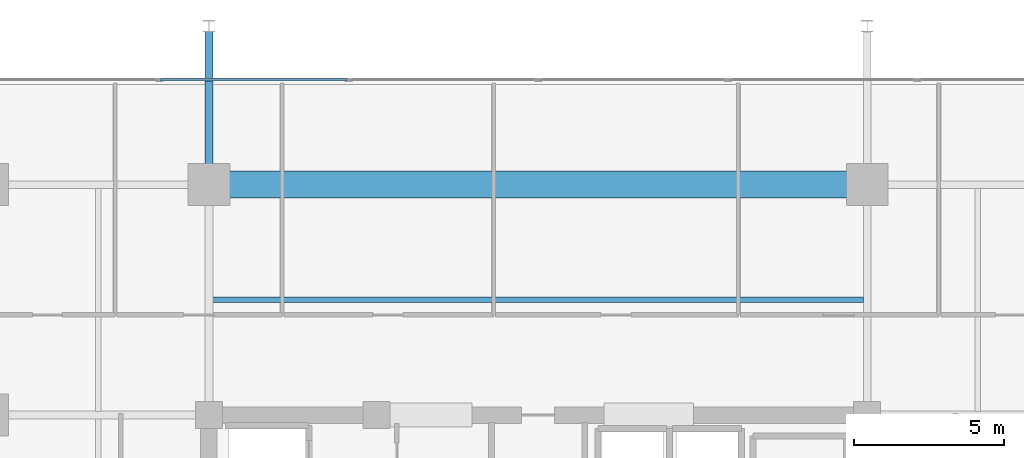
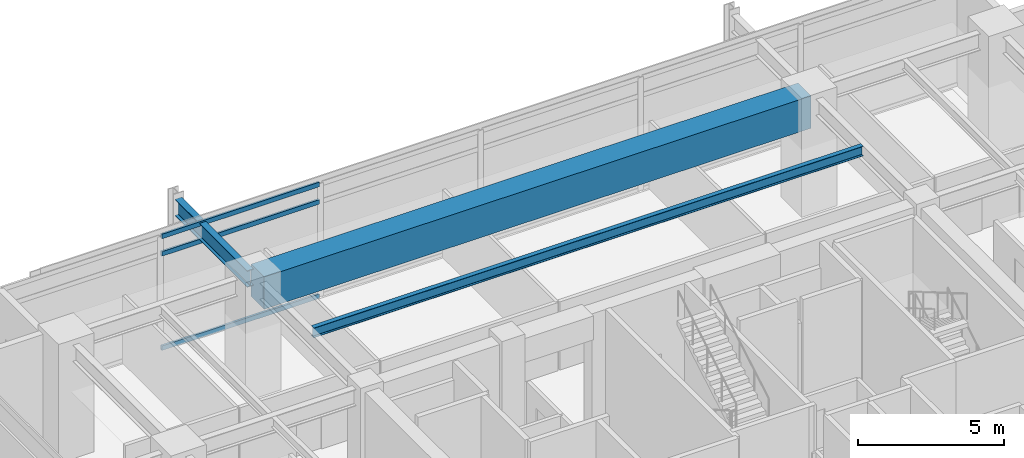
# One storey, part 8 of 19: 3 beams, 3 members, 1 element without a shape of its own.
"""IFC4 building model written with IfcOpenShell, lengths in metres."""

from ifc_helpers import new_model, si_unit, direction, frame, origin, origin_2d, place, context, subcontext, project, spatial, rectangle, hollow_rectangle, i_section, extrude, material, material_profile, profile_set, type_object, element, aggregate, save


model = new_model("IFC4")

# Units and contexts
model_context = context("Model", 3, precision=1e-05, world=origin(), true_north=direction((0.0, 1.0)))
body_context = subcontext(model_context, "Body", "Model", "MODEL_VIEW")
ifc_project = project(units=[si_unit("LENGTHUNIT", "METRE"), si_unit("AREAUNIT", "SQUARE_METRE"), si_unit("VOLUMEUNIT", "CUBIC_METRE"), si_unit("PLANEANGLEUNIT", "RADIAN"), si_unit("MASSUNIT", "GRAM", prefix="KILO")], contexts=[model_context])

# Site, building, storey
site_placement = place(None, origin())
site = spatial("IfcSite", under=ifc_project, at=site_placement, CompositionType="ELEMENT")
building_placement = place(site_placement, origin())
building = spatial("IfcBuilding", under=site, at=building_placement, Name="Kovane Verandah Tower", CompositionType="ELEMENT")
storey_placement = place(building_placement, frame((0.0, 0.0, 200.199951171875)))
storey = spatial("IfcBuildingStorey", under=building, at=storey_placement, Name="L46", CompositionType="ELEMENT", Elevation=200.199951171875)

# Beams
ifc_material_1 = material(Name="Concrete C80/95", Category="concrete")
ifc_material_profile_1 = material_profile(ifc_material_1, rectangle(XDim=0.89990234375, YDim=1.35009765625, at=origin_2d()), Name="RCB900x1350")
ifc_profile_set_1 = profile_set([ifc_material_profile_1], Name="Concrete C80/95")
beam_type_1 = type_object("IfcBeamType", Name="BM-TR-900x1350", PredefinedType="BEAM", material=ifc_profile_set_1)
beam_1_placement = place(storey_placement, frame((29.179931640625, 44.199951171875, 4.10009765625), z_axis=(1.0, 0.0, 0.0), x_axis=(0.0, 1.0, 0.0)))
element("IfcBeam", 1, at=beam_1_placement, inside=storey, type_object=beam_type_1, Name="L46 Primary Tower Girder G-RN2", PredefinedType="BEAM", context=body_context, shape_type="SweptSolid", body=[
    extrude(rectangle(XDim=0.89990234375, YDim=1.35009765625, at=origin_2d()), origin(), (0.0, 0.0, 1.0), 21.64013671875),
])
ifc_material_2 = material(Name="Steel S355", Category="steel")
ifc_material_profile_2 = material_profile(ifc_material_2, i_section(OverallWidth=0.255859375, OverallDepth=0.69287109375, WebThickness=0.014404296875, FlangeThickness=0.023681640625, FilletRadius=0.01513671875, at=origin_2d()), Name="UB686x254x170")
ifc_profile_set_2 = profile_set([ifc_material_profile_2], Name="Steel S355")
beam_type_2 = type_object("IfcBeamType", Name="BM-UB686x170", PredefinedType="BEAM", material=ifc_profile_set_2)
beam_2_placement = place(storey_placement, frame((29.0, 44.3798828125, 4.41357421875), z_axis=(0.0, 1.0, 0.0), x_axis=(-1.0, 0.0, 0.0)))
element("IfcBeam", 2, at=beam_2_placement, inside=storey, type_object=beam_type_2, Name="L46 Primary Tower Girder G-VN1", PredefinedType="BEAM", context=body_context, shape_type="SweptSolid", body=[
    extrude(i_section(OverallWidth=0.255859375, OverallDepth=0.69287109375, WebThickness=0.014404296875, FlangeThickness=0.023681640625, FilletRadius=0.01513671875, at=origin_2d()), origin(), (0.0, 0.0, 1.0), 4.940185546875),
])

# Curtain wall, members
ifc_material_3 = material(Name="Champagne Anodised Aluminium Frame with Low-E Clear Laminated Glass", Category="aluminium")
curtain_wall_type = type_object("IfcCurtainWallType", Name="CW-SYS-04-WAIST", PredefinedType="NOTDEFINED", material=ifc_material_3)
curtain_wall_placement = place(storey_placement, origin())
curtain_wall = element("IfcCurtainWall", 3, at=curtain_wall_placement, inside=storey, type_object=curtain_wall_type, Name="L46 N Unitised Curtain Wall", PredefinedType="NOTDEFINED")
ifc_material_4 = material(Name="Champagne Anodised Aluminium 6063-T6", Category="aluminium")
ifc_material_profile_3 = material_profile(ifc_material_4, hollow_rectangle(XDim=0.0849609375, YDim=0.18994140625, WallThickness=0.00390625, at=origin_2d()), Name="AL85x190x4")
ifc_profile_set_3 = profile_set([ifc_material_profile_3], Name="Champagne Anodised Aluminium 6063-T6")
member_type = type_object("IfcMemberType", Name="CW-TRN-85x190", PredefinedType="USERDEFINED", material=ifc_profile_set_3)
member_1_placement = place(storey_placement, frame((33.61669921875, 47.699951171875, 0.050048828125), z_axis=(-1.0, 0.0, 0.0), x_axis=(0.0, -1.0, 0.0)))
member_1 = element("IfcMember", 4, at=member_1_placement, type_object=member_type, Name="L46 N Unitised Curtain Wall Transom TB Bay 5", ObjectType="TRANSOM", PredefinedType="USERDEFINED", context=body_context, shape_type="SweptSolid", body=[
    extrude(hollow_rectangle(XDim=0.0849609375, YDim=0.18994140625, WallThickness=0.00390625, at=origin_2d()), origin(), (0.0, 0.0, 1.0), 6.2333984375),
])
member_2_placement = place(storey_placement, frame((33.61669921875, 47.699951171875, 3.9951171875), z_axis=(-1.0, 0.0, 0.0), x_axis=(0.0, -1.0, 0.0)))
member_2 = element("IfcMember", 5, at=member_2_placement, type_object=member_type, Name="L46 N Unitised Curtain Wall Transom TM Bay 5", ObjectType="TRANSOM", PredefinedType="USERDEFINED", context=body_context, shape_type="SweptSolid", body=[
    extrude(hollow_rectangle(XDim=0.0849609375, YDim=0.18994140625, WallThickness=0.00390625, at=origin_2d()), origin(), (0.0, 0.0, 1.0), 6.2333984375),
])
member_3_placement = place(storey_placement, frame((33.61669921875, 47.699951171875, 4.72509765625), z_axis=(-1.0, 0.0, 0.0), x_axis=(0.0, -1.0, 0.0)))
member_3 = element("IfcMember", 6, at=member_3_placement, type_object=member_type, Name="L46 N Unitised Curtain Wall Transom TT Bay 5", ObjectType="TRANSOM", PredefinedType="USERDEFINED", context=body_context, shape_type="SweptSolid", body=[
    extrude(hollow_rectangle(XDim=0.0849609375, YDim=0.18994140625, WallThickness=0.00390625, at=origin_2d()), origin(), (0.0, 0.0, 1.0), 6.2333984375),
])
aggregate(curtain_wall, [member_1, member_2, member_3])

# Beam
ifc_material_profile_4 = material_profile(ifc_material_2, i_section(OverallWidth=0.179443359375, OverallDepth=0.412841796875, WebThickness=0.009521484375, FlangeThickness=0.01611328125, FilletRadius=0.01025390625, at=origin_2d()), Name="UB406x178x74")
ifc_profile_set_4 = profile_set([ifc_material_profile_4], Name="Steel S355")
beam_type_3 = type_object("IfcBeamType", Name="JST-UB406x74", PredefinedType="JOIST", material=ifc_profile_set_4)
beam_3_placement = place(storey_placement, frame((29.1259765625, 40.35009765625, 4.568603515625), z_axis=(1.0, 0.0, 0.0), x_axis=(0.0, 1.0, 0.0)))
element("IfcBeam", 7, at=beam_3_placement, inside=storey, type_object=beam_type_3, Name="L46 Secondary Composite Joist J-N1", PredefinedType="JOIST", context=body_context, shape_type="SweptSolid", body=[
    extrude(i_section(OverallWidth=0.179443359375, OverallDepth=0.412841796875, WebThickness=0.009521484375, FlangeThickness=0.01611328125, FilletRadius=0.01025390625, at=origin_2d()), origin(), (0.0, 0.0, 1.0), 21.748046875),
])

save(model, "model.ifc")
